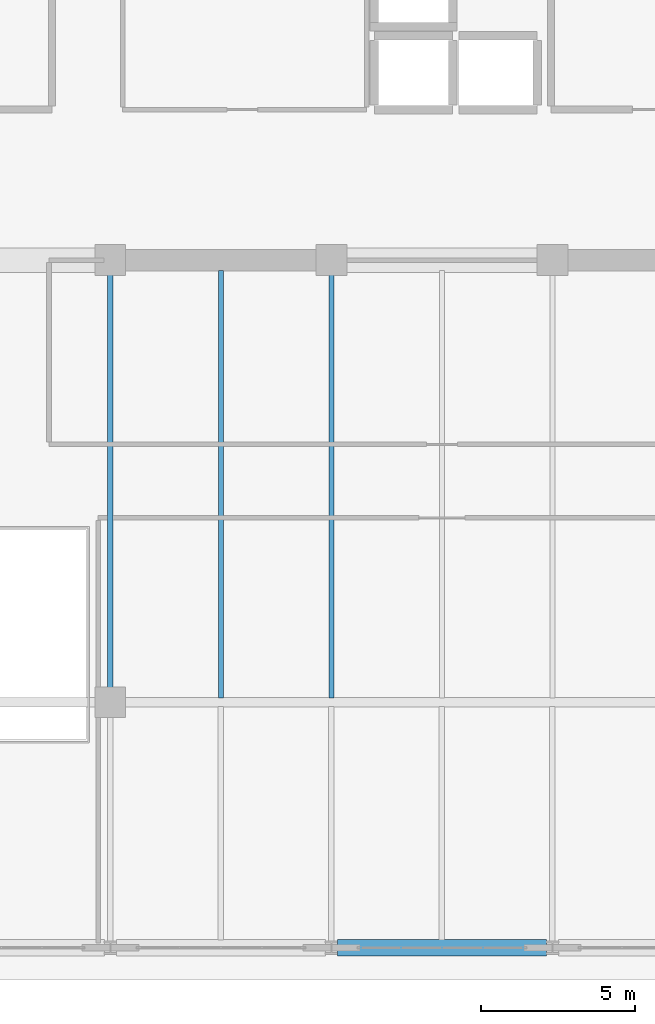
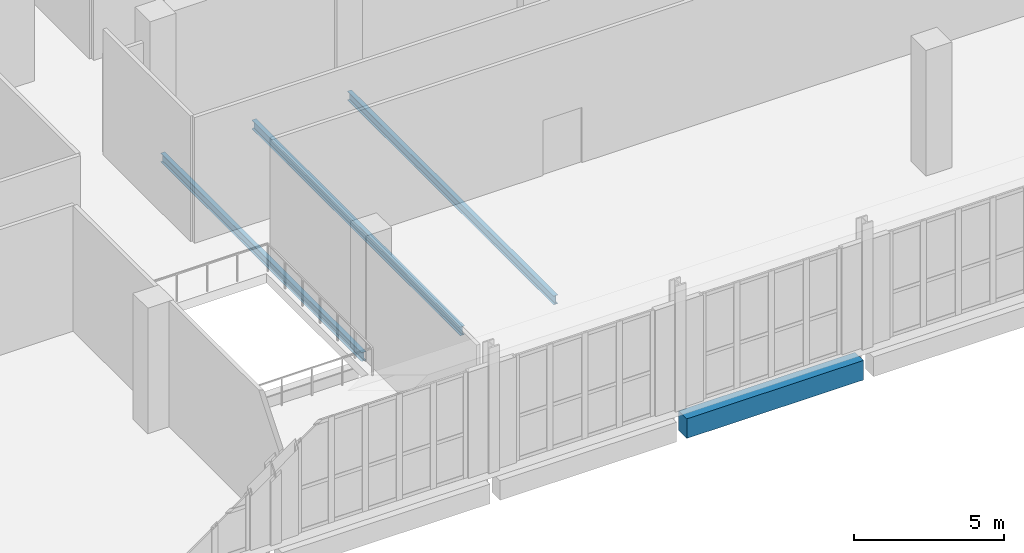
# One storey, part 9 of 26: 4 beams.
"""IFC4 building model written with IfcOpenShell, lengths in metres."""

from ifc_helpers import new_model, si_unit, direction, frame, origin, origin_2d, place, context, subcontext, project, spatial, rectangle, i_section, extrude, material, material_profile, profile_set, type_object, element, save


model = new_model("IFC4")

# Units and contexts
model_context = context("Model", 3, precision=1e-05, world=origin(), true_north=direction((0.0, 1.0)))
body_context = subcontext(model_context, "Body", "Model", "MODEL_VIEW")
ifc_project = project(units=[si_unit("LENGTHUNIT", "METRE"), si_unit("AREAUNIT", "SQUARE_METRE"), si_unit("VOLUMEUNIT", "CUBIC_METRE"), si_unit("PLANEANGLEUNIT", "RADIAN"), si_unit("MASSUNIT", "GRAM", prefix="KILO")], contexts=[model_context])

# Site, building, storey
site_placement = place(None, origin())
site = spatial("IfcSite", under=ifc_project, at=site_placement, CompositionType="ELEMENT")
building_placement = place(site_placement, origin())
building = spatial("IfcBuilding", under=site, at=building_placement, Name="Kaelvorn Grand Hotel", CompositionType="ELEMENT")
storey_placement = place(building_placement, frame((0.0, 0.0, 300.199951171875)))
storey = spatial("IfcBuildingStorey", under=building, at=storey_placement, Name="L73", CompositionType="ELEMENT", Elevation=300.199951171875)

# Beams
ifc_material_1 = material(Name="Steel S355", Category="steel")
ifc_material_profile_1 = material_profile(ifc_material_1, i_section(OverallWidth=0.169921875, OverallDepth=0.360107421875, WebThickness=0.008056640625, FlangeThickness=0.0126953125, FilletRadius=0.01806640625, at=origin_2d()), Name="IPE 360")
ifc_profile_set_1 = profile_set([ifc_material_profile_1], Name="Steel S355")
beam_type_1 = type_object("IfcBeamType", Name="BM-J-IPE360-S355", PredefinedType="JOIST", material=ifc_profile_set_1)
beam_1_placement = place(storey_placement, frame((46.199951171875, 15.485107421875, -0.56005859375), z_axis=(0.0, 1.0, 0.0), x_axis=(-1.0, 0.0, 0.0)))
element("IfcBeam", 1, at=beam_1_placement, inside=storey, type_object=beam_type_1, Name="L73 Composite Floor Joist JM-13", PredefinedType="JOIST", context=body_context, shape_type="SweptSolid", body=[
    extrude(i_section(OverallWidth=0.169921875, OverallDepth=0.360107421875, WebThickness=0.008056640625, FlangeThickness=0.0126953125, FilletRadius=0.01806640625, at=origin_2d()), origin(), (0.0, 0.0, 1.0), 13.429931640625),
])
beam_2_placement = place(storey_placement, frame((49.800048828125, 15.135986328125, -0.56005859375), z_axis=(0.0, 1.0, 0.0), x_axis=(-1.0, 0.0, 0.0)))
element("IfcBeam", 2, at=beam_2_placement, inside=storey, type_object=beam_type_1, Name="L73 Composite Floor Joist JM-14", PredefinedType="JOIST", context=body_context, shape_type="SweptSolid", body=[
    extrude(i_section(OverallWidth=0.169921875, OverallDepth=0.360107421875, WebThickness=0.008056640625, FlangeThickness=0.0126953125, FilletRadius=0.01806640625, at=origin_2d()), origin(), (0.0, 0.0, 1.0), 13.924072265625),
])
beam_3_placement = place(storey_placement, frame((53.39990234375, 15.135986328125, -0.56005859375), z_axis=(0.0, 1.0, 0.0), x_axis=(-1.0, 0.0, 0.0)))
element("IfcBeam", 3, at=beam_3_placement, inside=storey, type_object=beam_type_1, Name="L73 Composite Floor Joist JM-15", PredefinedType="JOIST", context=body_context, shape_type="SweptSolid", body=[
    extrude(i_section(OverallWidth=0.169921875, OverallDepth=0.360107421875, WebThickness=0.008056640625, FlangeThickness=0.0126953125, FilletRadius=0.01806640625, at=origin_2d()), origin(), (0.0, 0.0, 1.0), 13.779052734375),
])
ifc_material_2 = material(Name="Concrete C50/60", Category="concrete")
ifc_material_profile_2 = material_profile(ifc_material_2, rectangle(XDim=0.550048828125, YDim=0.800048828125, at=origin_2d()), Name="RC SPANDREL 550x800")
ifc_profile_set_2 = profile_set([ifc_material_profile_2], Name="Concrete C50/60")
beam_type_2 = type_object("IfcBeamType", Name="BM-SP-550x800-C50", PredefinedType="SPANDREL", material=ifc_profile_set_2)
beam_4_placement = place(storey_placement, frame((53.594970703125, 7.0, -0.780029296875), z_axis=(1.0, 0.0, 0.0), x_axis=(0.0, 1.0, 0.0)))
element("IfcBeam", 4, at=beam_4_placement, inside=storey, type_object=beam_type_2, Name="L73 South Perimeter Spandrel 07", PredefinedType="SPANDREL", context=body_context, shape_type="SweptSolid", body=[
    extrude(rectangle(XDim=0.550048828125, YDim=0.800048828125, at=origin_2d()), origin(), (0.0, 0.0, 1.0), 6.81005859375),
])

save(model, "model.ifc")
